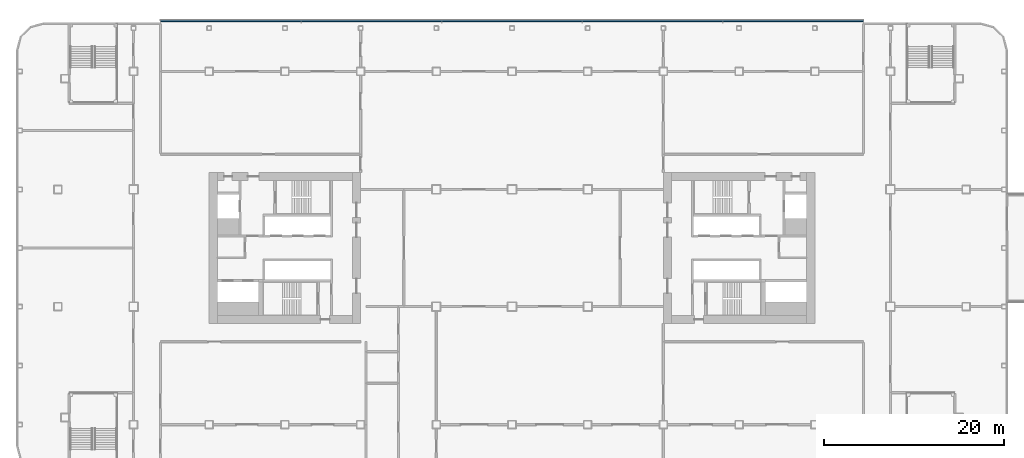
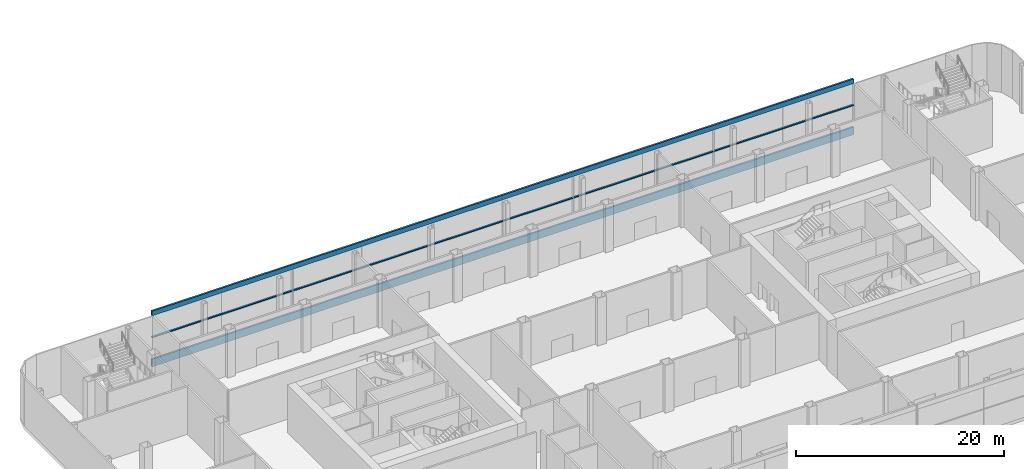
# One storey, part 15 of 100: 3 members, 1 element without a shape of its own.
"""IFC4 building model written with IfcOpenShell, lengths in metres."""

from ifc_helpers import new_model, si_unit, direction, frame, origin, origin_2d, place, context, subcontext, project, spatial, rectangle, extrude, material, layer, layer_set, material_profile, profile_set, type_object, element, aggregate, save


model = new_model("IFC4")

# Units and contexts
model_context = context("Model", 3, precision=1e-05, world=origin(), true_north=direction((0.0, 1.0)))
body_context = subcontext(model_context, "Body", "Model", "MODEL_VIEW")
ifc_project = project(units=[si_unit("LENGTHUNIT", "METRE"), si_unit("AREAUNIT", "SQUARE_METRE"), si_unit("VOLUMEUNIT", "CUBIC_METRE"), si_unit("PLANEANGLEUNIT", "RADIAN"), si_unit("MASSUNIT", "GRAM", prefix="KILO")], contexts=[model_context])

# Site, building, storey
site_placement = place(None, origin())
site = spatial("IfcSite", under=ifc_project, at=site_placement, CompositionType="ELEMENT")
building_placement = place(site_placement, origin())
building = spatial("IfcBuilding", under=site, at=building_placement, Name="Hakoniwa Tower and Hamabe Station Hall", CompositionType="ELEMENT")
storey_placement = place(building_placement, frame((0.0, 0.0, 9.0)))
storey = spatial("IfcBuildingStorey", under=building, at=storey_placement, Name="L02", CompositionType="ELEMENT", Elevation=9.0)

# Curtain wall, members
ifc_material_1 = material(Name="Dark low-e laminated glass", Category="glass")
ifc_layer = layer(ifc_material_1, 0.199951171875)
ifc_layer_set = layer_set([ifc_layer], Name="CW-3 PODIUM LOBBY")
curtain_wall_type = type_object("IfcCurtainWallType", Name="CW-3 PODIUM LOBBY", PredefinedType="NOTDEFINED", material=ifc_layer_set)
curtain_wall_placement = place(storey_placement, origin())
curtain_wall = element("IfcCurtainWall", 1, at=curtain_wall_placement, inside=storey, type_object=curtain_wall_type, Name="Podium curtain wall L02 north 4", PredefinedType="NOTDEFINED")
ifc_material_2 = material(Name="Aluminium 6063-T5 black anodised", Category="aluminium")
ifc_material_profile_1 = material_profile(ifc_material_2, rectangle(XDim=0.199951171875, YDim=0.550048828125, at=origin_2d()), Name="CW HEAD BAND 550X200")
ifc_profile_set_1 = profile_set([ifc_material_profile_1], Name="Aluminium 6063-T5 black anodised")
member_type_1 = type_object("IfcMemberType", Name="CW HEAD BAND 550X200", PredefinedType="USERDEFINED", material=ifc_profile_set_1)
member_1_placement = place(storey_placement, frame((39.0, 25.199951171875, 5.72509765625), z_axis=(-1.0, 0.0, 0.0), x_axis=(0.0, -1.0, 0.0)))
member_1 = element("IfcMember", 2, at=member_1_placement, type_object=member_type_1, Name="CW-3 transom", ObjectType="TRANSOM", PredefinedType="USERDEFINED", context=body_context, shape_type="SweptSolid", body=[
    extrude(rectangle(XDim=0.199951171875, YDim=0.550048828125, at=origin_2d()), origin(), (0.0, 0.0, 1.0), 78.0),
])
ifc_material_3 = material(Name="Aluminium 6063-T5 black anodised", Category="aluminium")
ifc_material_profile_2 = material_profile(ifc_material_3, rectangle(XDim=0.199951171875, YDim=0.1201171875, at=origin_2d()), Name="CW MID TRANSOM 120X200")
ifc_profile_set_2 = profile_set([ifc_material_profile_2], Name="Aluminium 6063-T5 black anodised")
member_type_2 = type_object("IfcMemberType", Name="CW MID TRANSOM 120X200", PredefinedType="USERDEFINED", material=ifc_profile_set_2)
member_2_placement = place(storey_placement, frame((39.0, 25.199951171875, 2.89990234375), z_axis=(-1.0, 0.0, 0.0), x_axis=(0.0, -1.0, 0.0)))
member_2 = element("IfcMember", 3, at=member_2_placement, type_object=member_type_2, Name="CW-3 transom", ObjectType="TRANSOM", PredefinedType="USERDEFINED", context=body_context, shape_type="SweptSolid", body=[
    extrude(rectangle(XDim=0.199951171875, YDim=0.1201171875, at=origin_2d()), origin(), (0.0, 0.0, 1.0), 78.0),
])
ifc_material_4 = material(Name="Aluminium 6063-T5 black anodised", Category="aluminium")
ifc_material_profile_3 = material_profile(ifc_material_4, rectangle(XDim=0.199951171875, YDim=0.89990234375, at=origin_2d()), Name="CW SLAB-EDGE BAND 900X200")
ifc_profile_set_3 = profile_set([ifc_material_profile_3], Name="Aluminium 6063-T5 black anodised")
member_type_3 = type_object("IfcMemberType", Name="CW SLAB-EDGE BAND 900X200", PredefinedType="USERDEFINED", material=ifc_profile_set_3)
member_3_placement = place(storey_placement, frame((39.0, 25.199951171875, -0.10009765625), z_axis=(-1.0, 0.0, 0.0), x_axis=(0.0, -1.0, 0.0)))
member_3 = element("IfcMember", 4, at=member_3_placement, type_object=member_type_3, Name="CW-3 transom", ObjectType="TRANSOM", PredefinedType="USERDEFINED", context=body_context, shape_type="SweptSolid", body=[
    extrude(rectangle(XDim=0.199951171875, YDim=0.89990234375, at=origin_2d()), origin(), (0.0, 0.0, 1.0), 78.0),
])
aggregate(curtain_wall, [member_3, member_2, member_1])

save(model, "model.ifc")
